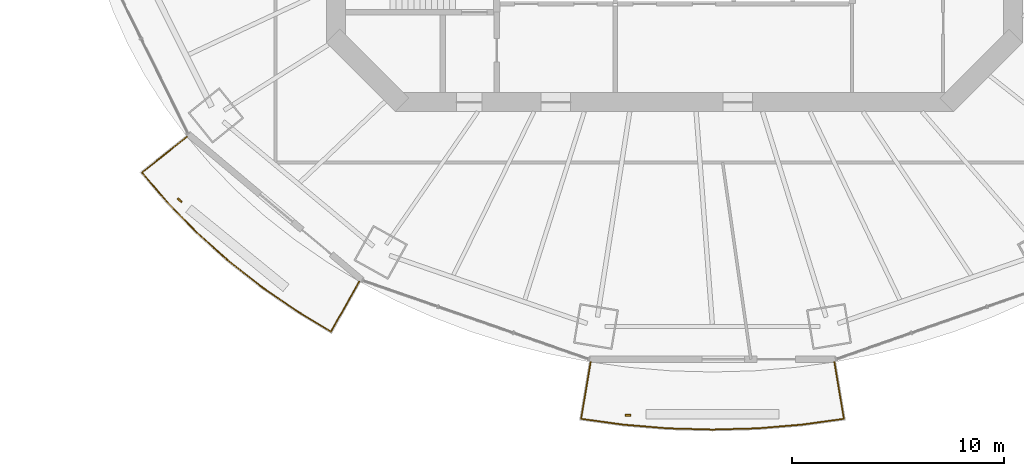
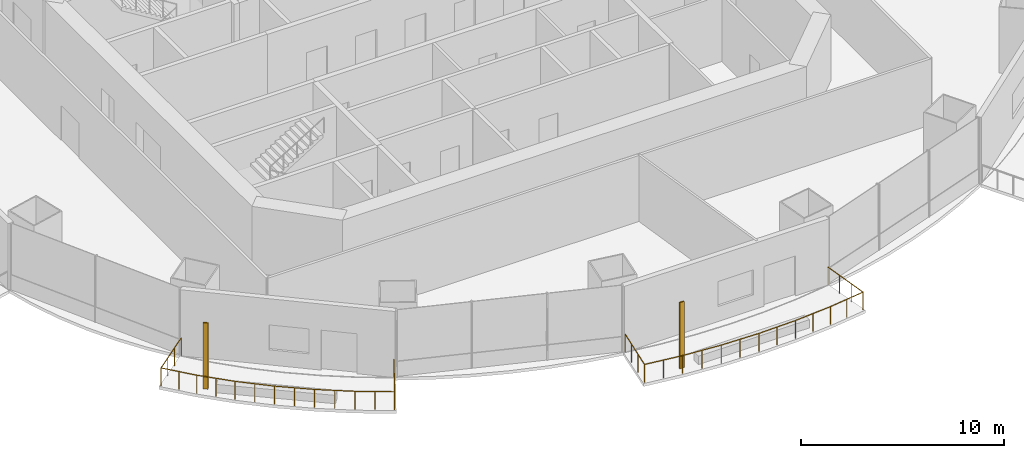
# One storey, part 14 of 19: 2 railings, 2 shading devices.
"""IFC4 building model written with IfcOpenShell, lengths in metres."""

from ifc_helpers import new_model, si_unit, direction, frame, origin, origin_2d, place, context, subcontext, project, spatial, rectangle, circle, extrude, material, material_profile, profile_set, type_object, element, save


model = new_model("IFC4")

# Units and contexts
model_context = context("Model", 3, precision=1e-05, world=origin(), true_north=direction((0.0, 1.0)))
body_context = subcontext(model_context, "Body", "Model", "MODEL_VIEW")
ifc_project = project(units=[si_unit("LENGTHUNIT", "METRE"), si_unit("AREAUNIT", "SQUARE_METRE"), si_unit("VOLUMEUNIT", "CUBIC_METRE"), si_unit("PLANEANGLEUNIT", "RADIAN"), si_unit("MASSUNIT", "GRAM", prefix="KILO")], contexts=[model_context])

# Site, building, storey
site_placement = place(None, origin())
site = spatial("IfcSite", under=ifc_project, at=site_placement, CompositionType="ELEMENT")
building_placement = place(site_placement, origin())
building = spatial("IfcBuilding", under=site, at=building_placement, Name="Marenthal Gate Tower", CompositionType="ELEMENT")
storey_placement = place(building_placement, frame((0.0, 0.0, 256.5)))
storey = spatial("IfcBuildingStorey", under=building, at=storey_placement, Name="L57", CompositionType="ELEMENT", Elevation=256.5)

# Railings
ifc_material_1 = material(Name="Stainless steel", Category="steel")
railing_type = type_object("IfcRailingType", Name="Balcony guard 1100", PredefinedType="GUARDRAIL", material=ifc_material_1)
railing_1_placement = place(storey_placement, frame((-14.89404296875, -21.4755859375, 0.0)))
element("IfcRailing", 1, at=railing_1_placement, inside=storey, type_object=railing_type, Name="Balcony guard L57 bay 10", PredefinedType="GUARDRAIL", context=body_context, shape_type="SweptSolid", body=[
    extrude(circle(Radius=0.02392578125, at=origin_2d()), frame((0.0, 0.0, 1.076171875), z_axis=(-0.490003601749, -0.871596150217, -0.014718056902), x_axis=(0.871690568659, -0.490056682957, 0.0)), (0.0, 0.0, 1.0), 2.720458984375),
    extrude(circle(Radius=0.02392578125, at=origin_2d()), frame((-1.3330078125, -2.37109375, 1.0361328125), z_axis=(-0.855893544478, 0.517152047778, 0.0), x_axis=(-0.517152047778, -0.855893544478, 0.0)), (0.0, 0.0, 1.0), 1.944580078125),
    extrude(circle(Radius=0.02392578125, at=origin_2d()), frame((-2.997314453125, -1.365478515625, 1.0361328125), z_axis=(-0.823118749267, 0.567869284787, 0.0), x_axis=(-0.567869284787, -0.823118749267, 0.0)), (0.0, 0.0, 1.0), 2.008544921875),
    extrude(circle(Radius=0.02392578125, at=origin_2d()), frame((-4.650634765625, -0.224853515625, 1.0361328125), z_axis=(-0.785663114819, 0.618654564367, 0.0), x_axis=(-0.618654564367, -0.785663114819, 0.0)), (0.0, 0.0, 1.0), 1.992431640625),
    extrude(circle(Radius=0.02392578125, at=origin_2d()), frame((-6.216064453125, 1.0078125, 1.0361328125), z_axis=(-0.744141474821, 0.668022054614, 0.0), x_axis=(-0.668022054614, -0.744141474821, 0.0)), (0.0, 0.0, 1.0), 1.975830078125),
    extrude(circle(Radius=0.02392578125, at=origin_2d()), frame((-7.686279296875, 2.32763671875, 1.0361328125), z_axis=(-0.698521536326, 0.715589032398, 0.0), x_axis=(-0.715589032398, -0.698521536326, 0.0)), (0.0, 0.0, 1.0), 1.959716796875),
    extrude(circle(Radius=0.02392578125, at=origin_2d()), frame((-9.05517578125, 3.72998046875, 1.0361328125), z_axis=(-0.649809223688, 0.760097344298, 0.0), x_axis=(-0.760097344298, -0.649809223688, 0.0)), (0.0, 0.0, 1.0), 1.864013671875),
    extrude(circle(Radius=0.02392578125, at=origin_2d()), frame((-10.266357421875, 5.146728515625, 1.0361328125), z_axis=(0.783055581805, 0.621777543925, 0.014718752483), x_axis=(-0.621844906334, 0.783140416826, 0.0)), (0.0, 0.0, 1.0), 2.72021484375),
    extrude(circle(Radius=0.02099609375, at=origin_2d()), origin(), (0.0, 0.0, 1.0), 1.052001953125),
    extrude(circle(Radius=0.02099609375, at=origin_2d()), frame((-0.4443359375, -0.790283203125, -0.013427734375)), (0.0, 0.0, 1.0), 1.052001953125),
    extrude(circle(Radius=0.02099609375, at=origin_2d()), frame((-0.888671875, -1.580810546875, -0.026611328125)), (0.0, 0.0, 1.0), 1.052001953125),
    extrude(circle(Radius=0.02099609375, at=origin_2d()), frame((-1.3330078125, -2.37109375, -0.0400390625)), (0.0, 0.0, 1.0), 1.052001953125),
    extrude(circle(Radius=0.02099609375, at=origin_2d()), frame((-2.1650390625, -1.8681640625, -0.0400390625)), (0.0, 0.0, 1.0), 1.052001953125),
    extrude(circle(Radius=0.02099609375, at=origin_2d()), frame((-2.997314453125, -1.365478515625, -0.0400390625)), (0.0, 0.0, 1.0), 1.052001953125),
    extrude(circle(Radius=0.02099609375, at=origin_2d()), frame((-3.823974609375, -0.795166015625, -0.0400390625)), (0.0, 0.0, 1.0), 1.052001953125),
    extrude(circle(Radius=0.02099609375, at=origin_2d()), frame((-4.650634765625, -0.224853515625, -0.0400390625)), (0.0, 0.0, 1.0), 1.052001953125),
    extrude(circle(Radius=0.02099609375, at=origin_2d()), frame((-5.433349609375, 0.3916015625, -0.0400390625)), (0.0, 0.0, 1.0), 1.052001953125),
    extrude(circle(Radius=0.02099609375, at=origin_2d()), frame((-6.216064453125, 1.0078125, -0.0400390625)), (0.0, 0.0, 1.0), 1.052001953125),
    extrude(circle(Radius=0.02099609375, at=origin_2d()), frame((-6.951171875, 1.667724609375, -0.0400390625)), (0.0, 0.0, 1.0), 1.052001953125),
    extrude(circle(Radius=0.02099609375, at=origin_2d()), frame((-7.686279296875, 2.32763671875, -0.0400390625)), (0.0, 0.0, 1.0), 1.052001953125),
    extrude(circle(Radius=0.02099609375, at=origin_2d()), frame((-8.37060546875, 3.02880859375, -0.0400390625)), (0.0, 0.0, 1.0), 1.052001953125),
    extrude(circle(Radius=0.02099609375, at=origin_2d()), frame((-9.05517578125, 3.72998046875, -0.0400390625)), (0.0, 0.0, 1.0), 1.052001953125),
    extrude(circle(Radius=0.02099609375, at=origin_2d()), frame((-9.66064453125, 4.4384765625, -0.0400390625)), (0.0, 0.0, 1.0), 1.052001953125),
    extrude(circle(Radius=0.02099609375, at=origin_2d()), frame((-10.266357421875, 5.146728515625, -0.0400390625)), (0.0, 0.0, 1.0), 1.052001953125),
    extrude(circle(Radius=0.02099609375, at=origin_2d()), frame((-9.556396484375, 5.71044921875, -0.026611328125)), (0.0, 0.0, 1.0), 1.052001953125),
    extrude(circle(Radius=0.02099609375, at=origin_2d()), frame((-8.84619140625, 6.2744140625, -0.013427734375)), (0.0, 0.0, 1.0), 1.052001953125),
    extrude(circle(Radius=0.02099609375, at=origin_2d()), frame((-8.13623046875, 6.838134765625, 0.0)), (0.0, 0.0, 1.0), 1.052001953125),
])
railing_2_placement = place(storey_placement, frame((7.558837890625, -25.283935546875, 0.0)))
element("IfcRailing", 2, at=railing_2_placement, inside=storey, type_object=railing_type, Name="Balcony guard L57 bay 12", PredefinedType="GUARDRAIL", context=body_context, shape_type="SweptSolid", body=[
    extrude(circle(Radius=0.02392578125, at=origin_2d()), frame((0.0, 0.0, 1.076171875), z_axis=(0.165050627973, -0.986175258386, -0.014719033707), x_axis=(0.986282103159, 0.165068509984, 0.0)), (0.0, 0.0, 1.0), 2.72021484375),
    extrude(circle(Radius=0.02392578125, at=origin_2d()), frame((0.448974609375, -2.6826171875, 1.0361328125), z_axis=(-0.990661107933, -0.1363472377, 0.0), x_axis=(0.1363472377, -0.990661107933, 0.0)), (0.0, 0.0, 1.0), 2.021484375),
    extrude(circle(Radius=0.02392578125, at=origin_2d()), frame((-1.5537109375, -2.958251953125, 1.0361328125), z_axis=(-0.996585629945, -0.082565623519, 0.0), x_axis=(0.082565623519, -0.996585629945, 0.0)), (0.0, 0.0, 1.0), 2.105224609375),
    extrude(circle(Radius=0.02392578125, at=origin_2d()), frame((-3.65185546875, -3.132080078125, 1.0361328125), z_axis=(-0.999619937795, -0.02756773409, 0.0), x_axis=(0.02756773409, -0.999619937795, 0.0)), (0.0, 0.0, 1.0), 2.107666015625),
    extrude(circle(Radius=0.02392578125, at=origin_2d()), frame((-5.7587890625, -3.190185546875, 1.0361328125), z_axis=(-0.999619937795, 0.02756773409, 0.0), x_axis=(-0.02756773409, -0.999619937795, 0.0)), (0.0, 0.0, 1.0), 2.107666015625),
    extrude(circle(Radius=0.02392578125, at=origin_2d()), frame((-7.86572265625, -3.132080078125, 1.0361328125), z_axis=(-0.996585629945, 0.082565623519, 0.0), x_axis=(-0.082565623519, -0.996585629945, 0.0)), (0.0, 0.0, 1.0), 2.105224609375),
    extrude(circle(Radius=0.02392578125, at=origin_2d()), frame((-9.9638671875, -2.958251953125, 1.0361328125), z_axis=(-0.990661107933, 0.1363472377, 0.0), x_axis=(-0.1363472377, -0.990661107933, 0.0)), (0.0, 0.0, 1.0), 2.021484375),
    extrude(circle(Radius=0.02392578125, at=origin_2d()), frame((-11.966552734375, -2.6826171875, 1.0361328125), z_axis=(0.165050627973, 0.986175258386, 0.014719033707), x_axis=(-0.986282103159, 0.165068509984, 0.0)), (0.0, 0.0, 1.0), 2.72021484375),
    extrude(circle(Radius=0.02099609375, at=origin_2d()), origin(), (0.0, 0.0, 1.0), 1.052001953125),
    extrude(circle(Radius=0.02099609375, at=origin_2d()), frame((0.149658203125, -0.894287109375, -0.013427734375)), (0.0, 0.0, 1.0), 1.052001953125),
    extrude(circle(Radius=0.02099609375, at=origin_2d()), frame((0.29931640625, -1.788330078125, -0.026611328125)), (0.0, 0.0, 1.0), 1.052001953125),
    extrude(circle(Radius=0.02099609375, at=origin_2d()), frame((0.448974609375, -2.6826171875, -0.0400390625)), (0.0, 0.0, 1.0), 1.052001953125),
    extrude(circle(Radius=0.02099609375, at=origin_2d()), frame((-0.55224609375, -2.8203125, -0.0400390625)), (0.0, 0.0, 1.0), 1.052001953125),
    extrude(circle(Radius=0.02099609375, at=origin_2d()), frame((-1.5537109375, -2.958251953125, -0.0400390625)), (0.0, 0.0, 1.0), 1.052001953125),
    extrude(circle(Radius=0.02099609375, at=origin_2d()), frame((-2.602783203125, -3.045166015625, -0.0400390625)), (0.0, 0.0, 1.0), 1.052001953125),
    extrude(circle(Radius=0.02099609375, at=origin_2d()), frame((-3.65185546875, -3.132080078125, -0.0400390625)), (0.0, 0.0, 1.0), 1.052001953125),
    extrude(circle(Radius=0.02099609375, at=origin_2d()), frame((-4.705322265625, -3.1611328125, -0.0400390625)), (0.0, 0.0, 1.0), 1.052001953125),
    extrude(circle(Radius=0.02099609375, at=origin_2d()), frame((-5.7587890625, -3.190185546875, -0.0400390625)), (0.0, 0.0, 1.0), 1.052001953125),
    extrude(circle(Radius=0.02099609375, at=origin_2d()), frame((-6.812255859375, -3.1611328125, -0.0400390625)), (0.0, 0.0, 1.0), 1.052001953125),
    extrude(circle(Radius=0.02099609375, at=origin_2d()), frame((-7.86572265625, -3.132080078125, -0.0400390625)), (0.0, 0.0, 1.0), 1.052001953125),
    extrude(circle(Radius=0.02099609375, at=origin_2d()), frame((-8.914794921875, -3.045166015625, -0.0400390625)), (0.0, 0.0, 1.0), 1.052001953125),
    extrude(circle(Radius=0.02099609375, at=origin_2d()), frame((-9.9638671875, -2.958251953125, -0.0400390625)), (0.0, 0.0, 1.0), 1.052001953125),
    extrude(circle(Radius=0.02099609375, at=origin_2d()), frame((-10.96533203125, -2.8203125, -0.0400390625)), (0.0, 0.0, 1.0), 1.052001953125),
    extrude(circle(Radius=0.02099609375, at=origin_2d()), frame((-11.966552734375, -2.6826171875, -0.0400390625)), (0.0, 0.0, 1.0), 1.052001953125),
    extrude(circle(Radius=0.02099609375, at=origin_2d()), frame((-11.81689453125, -1.788330078125, -0.026611328125)), (0.0, 0.0, 1.0), 1.052001953125),
    extrude(circle(Radius=0.02099609375, at=origin_2d()), frame((-11.667236328125, -0.894287109375, -0.013427734375)), (0.0, 0.0, 1.0), 1.052001953125),
    extrude(circle(Radius=0.02099609375, at=origin_2d()), frame((-11.517578125, 0.0, 0.0)), (0.0, 0.0, 1.0), 1.052001953125),
])

# Shading devices
ifc_material_2 = material(Name="Terracotta", Category="masonry")
ifc_material_profile = material_profile(ifc_material_2, rectangle(XDim=0.25, YDim=0.080078125, at=origin_2d()), Name="Terracotta baguette 250x80")
ifc_profile_set = profile_set([ifc_material_profile], Name="Terracotta")
shading_device_type = type_object("IfcShadingDeviceType", Name="Terracotta BAGUETTE SCREEN 250x80", PredefinedType="USERDEFINED", material=ifc_profile_set)
for number, where, z_axis, x_axis, name in (
    (3, (-23.376708984375, -17.63525390625, -0.0400390625), (0.0, 0.0, 1.0), (0.765398416376, -0.643556729597, 0.0), "Terracotta BAGUETTE L57 bay 10L"),
    (4, (-2.199462890625, -27.798095703125, -0.0400390625), (0.0, 0.0, 1.0), (1.0, 0.0, 0.0), "Terracotta BAGUETTE L57 bay 12L"),
):
    element("IfcShadingDevice", number, at=place(storey_placement, frame(where, z_axis=z_axis, x_axis=x_axis)), inside=storey, type_object=shading_device_type, Name=name, ObjectType="BAGUETTE SCREEN", PredefinedType="USERDEFINED", context=body_context, shape_type="SweptSolid", body=[
        extrude(rectangle(XDim=0.25, YDim=0.080078125, at=origin_2d()), origin(), (0.0, 0.0, 1.0), 3.969970703125),
    ])

save(model, "model.ifc")
